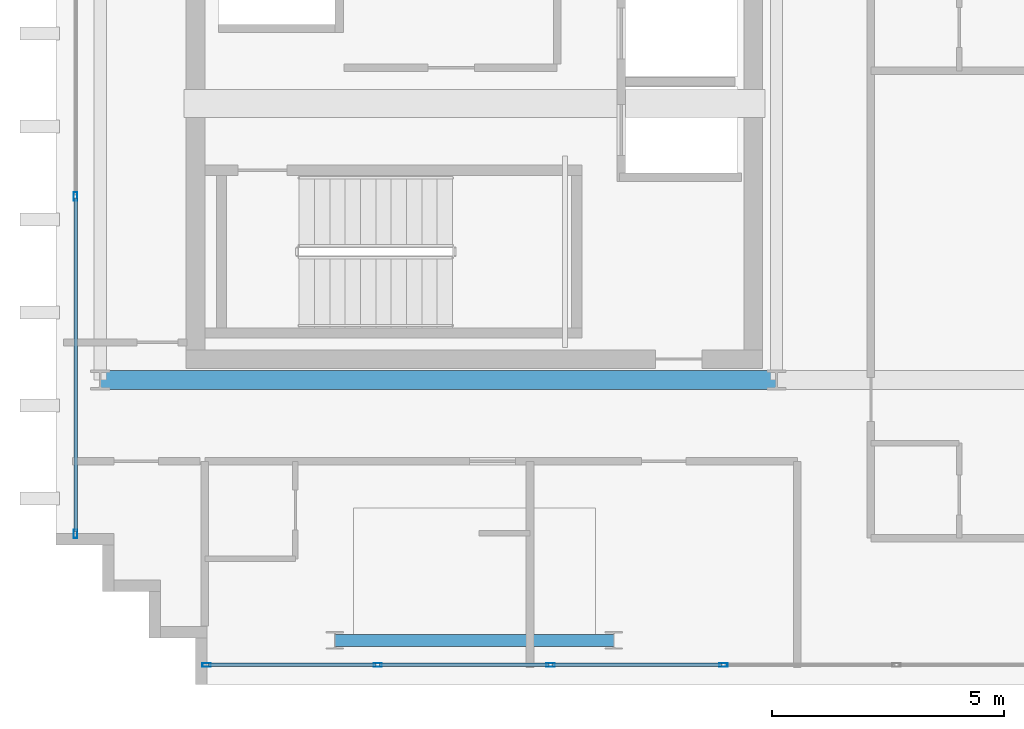
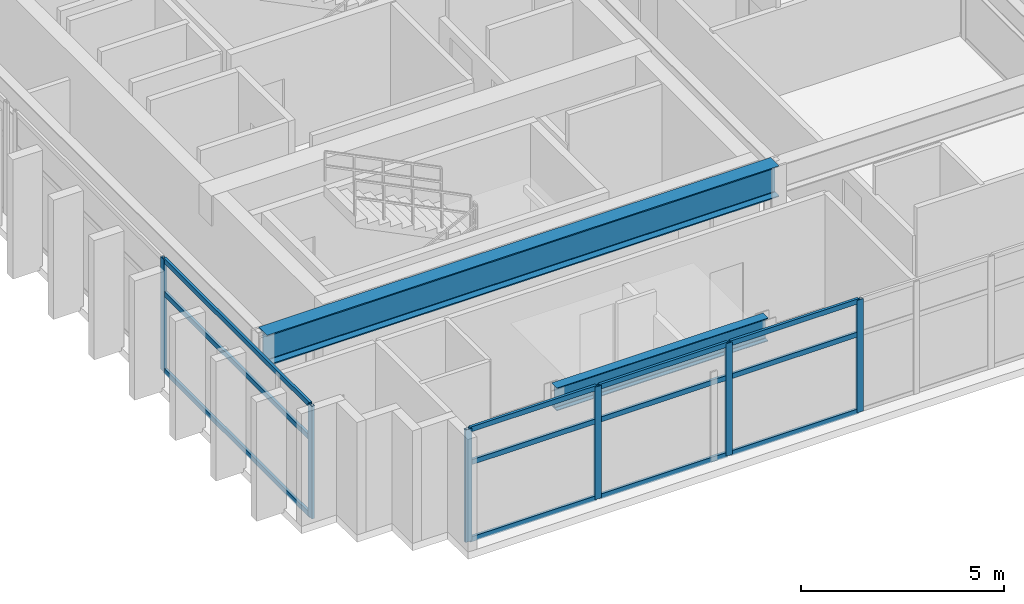
# One storey, part 2 of 15: 18 members, 2 beams, 2 elements without a shape of their own.
"""IFC4 building model written with IfcOpenShell, lengths in metres."""

from ifc_helpers import new_model, si_unit, direction, frame, origin, origin_2d, place, context, subcontext, project, spatial, hollow_rectangle, i_section, extrude, source, transform, mapped, material, layer, layer_set, material_profile, profile_set, type_object, element, aggregate, save


model = new_model("IFC4")

# Units and contexts
model_context = context("Model", 3, precision=1e-05, world=origin(), true_north=direction((0.0, 1.0)))
body_context = subcontext(model_context, "Body", "Model", "MODEL_VIEW")
ifc_project = project(units=[si_unit("LENGTHUNIT", "METRE"), si_unit("AREAUNIT", "SQUARE_METRE"), si_unit("VOLUMEUNIT", "CUBIC_METRE"), si_unit("PLANEANGLEUNIT", "RADIAN"), si_unit("MASSUNIT", "GRAM", prefix="KILO")], contexts=[model_context])

# Site, building, storey
site_placement = place(None, origin())
site = spatial("IfcSite", under=ifc_project, at=site_placement, CompositionType="ELEMENT")
building_placement = place(site_placement, origin())
building = spatial("IfcBuilding", under=site, at=building_placement, Name="Ocotamira Hotel", CompositionType="ELEMENT")
storey_placement = place(building_placement, frame((0.0, 0.0, 279.60009765625)))
storey = spatial("IfcBuildingStorey", under=building, at=storey_placement, Name="L71", CompositionType="ELEMENT", Elevation=279.60009765625)

# Beams
ifc_material_1 = material(Name="Steel ASTM A992 Grade 50", Category="steel")
ifc_material_profile_1 = material_profile(ifc_material_1, i_section(OverallWidth=0.41796875, OverallDepth=0.927001953125, WebThickness=0.019287109375, FlangeThickness=0.031982421875, FilletRadius=0.02392578125, at=origin_2d()), Name="W36X231")
ifc_profile_set_1 = profile_set([ifc_material_profile_1], Name="Steel ASTM A992 Grade 50")
beam_type_1 = type_object("IfcBeamType", Name="BM-GIRD-W36X231", PredefinedType="BEAM", material=ifc_profile_set_1)
shared_shape_1 = source(origin(), body_context, "Body", "SweptSolid", [
    extrude(i_section(OverallWidth=0.41796875, OverallDepth=0.927001953125, WebThickness=0.019287109375, FlangeThickness=0.031982421875, FilletRadius=0.02392578125, at=origin_2d()), origin(), (0.0, 0.0, 1.0), 14.550048828125),
])
beam_1_placement = place(storey_placement, frame((8.949951171875, 14.550048828125, 2.91650390625), z_axis=(1.0, 0.0, 0.0), x_axis=(0.0, 1.0, 0.0)))
element("IfcBeam", 1, at=beam_1_placement, inside=storey, type_object=beam_type_1, Name="L71 Girder Y14.55 X8.95-23.5", PredefinedType="BEAM", context=body_context, shape_type="MappedRepresentation", body=[
    mapped(shared_shape_1, transform((0.0, 0.0, 0.0), scale=1.0)),
])
ifc_material_profile_2 = material_profile(ifc_material_1, i_section(OverallWidth=0.256103515625, OverallDepth=0.693115234375, WebThickness=0.014404296875, FlangeThickness=0.023681640625, FilletRadius=0.01611328125, at=origin_2d()), Name="W27X114")
ifc_profile_set_2 = profile_set([ifc_material_profile_2], Name="Steel ASTM A992 Grade 50")
beam_type_2 = type_object("IfcBeamType", Name="BM-PRIM-W27X114", PredefinedType="BEAM", material=ifc_profile_set_2)
shared_shape_2 = source(origin(), body_context, "Body", "SweptSolid", [
    extrude(i_section(OverallWidth=0.256103515625, OverallDepth=0.693115234375, WebThickness=0.014404296875, FlangeThickness=0.023681640625, FilletRadius=0.01611328125, at=origin_2d()), origin(), (0.0, 0.0, 1.0), 6.0),
])
beam_2_placement = place(storey_placement, frame((14.0, 8.949951171875, 3.033447265625), z_axis=(1.0, 0.0, 0.0), x_axis=(0.0, 1.0, 0.0)))
element("IfcBeam", 2, at=beam_2_placement, inside=storey, type_object=beam_type_2, Name="L71 Girder Y8.95 X14-20", PredefinedType="BEAM", context=body_context, shape_type="MappedRepresentation", body=[
    mapped(shared_shape_2, transform((0.0, 0.0, 0.0), scale=1.0)),
])

# Curtain wall, members
ifc_material_2 = material(Name="Anodised pale-metal aluminium and solar glass", Category="aluminium")
ifc_layer = layer(ifc_material_2, 0.2099609375)
ifc_layer_set = layer_set([ifc_layer], Name="Anodised pale-metal aluminium and solar glass")
curtain_wall_type = type_object("IfcCurtainWallType", Name="CW-SYS7-PEAK", PredefinedType="NOTDEFINED", material=ifc_layer_set)
curtain_wall_1_placement = place(storey_placement, origin())
curtain_wall_1 = element("IfcCurtainWall", 3, at=curtain_wall_1_placement, inside=storey, type_object=curtain_wall_type, Name="L71 Curtain Wall CW-7 CW-L71-S1", PredefinedType="NOTDEFINED")
ifc_material_3 = material(Name="Anodised pale-metal aluminium 6063-T6", Category="aluminium")
ifc_material_profile_3 = material_profile(ifc_material_3, hollow_rectangle(XDim=0.080078125, YDim=0.179931640625, WallThickness=0.006103515625, at=origin_2d()), Name="HSS180X80X6")
ifc_profile_set_3 = profile_set([ifc_material_profile_3], Name="Anodised pale-metal aluminium 6063-T6")
member_type_1 = type_object("IfcMemberType", Name="CWM-180X75", PredefinedType="MULLION", material=ifc_profile_set_3)
shared_shape_3 = source(origin(), body_context, "Body", "SweptSolid", [
    extrude(hollow_rectangle(XDim=0.080078125, YDim=0.179931640625, WallThickness=0.006103515625, at=origin_2d()), origin(), (0.0, 0.0, 1.0), 3.3798828125),
])
member_1_placement = place(storey_placement, frame((11.239990234375, 8.419921875, 0.0), z_axis=(0.0, 0.0, 1.0), x_axis=(0.0, 1.0, 0.0)))
member_1 = element("IfcMember", 4, at=member_1_placement, type_object=member_type_1, Name="CW-7 mullion 1", PredefinedType="MULLION", context=body_context, shape_type="MappedRepresentation", body=[
    mapped(shared_shape_3, transform((0.0, 0.0, 0.0), scale=1.0)),
])
member_2_placement = place(storey_placement, frame((14.919921875, 8.419921875, 0.0), z_axis=(0.0, 0.0, 1.0), x_axis=(0.0, 1.0, 0.0)))
member_2 = element("IfcMember", 5, at=member_2_placement, type_object=member_type_1, Name="CW-7 mullion 2", PredefinedType="MULLION", context=body_context, shape_type="MappedRepresentation", body=[
    mapped(shared_shape_3, transform((0.0, 0.0, 0.0), scale=1.0)),
])
member_3_placement = place(storey_placement, frame((18.639892578125, 8.419921875, 0.0), z_axis=(0.0, 0.0, 1.0), x_axis=(0.0, 1.0, 0.0)))
member_3 = element("IfcMember", 6, at=member_3_placement, type_object=member_type_1, Name="CW-7 mullion 3", PredefinedType="MULLION", context=body_context, shape_type="MappedRepresentation", body=[
    mapped(shared_shape_3, transform((0.0, 0.0, 0.0), scale=1.0)),
])
member_4_placement = place(storey_placement, frame((22.360107421875, 8.419921875, 0.0), z_axis=(0.0, 0.0, 1.0), x_axis=(0.0, 1.0, 0.0)))
member_4 = element("IfcMember", 7, at=member_4_placement, type_object=member_type_1, Name="CW-7 mullion 4", PredefinedType="MULLION", context=body_context, shape_type="MappedRepresentation", body=[
    mapped(shared_shape_3, transform((0.0, 0.0, 0.0), scale=1.0)),
])

curtain_wall_2_placement = place(storey_placement, origin())
curtain_wall_2 = element("IfcCurtainWall", 8, at=curtain_wall_2_placement, inside=storey, type_object=curtain_wall_type, Name="L71 Curtain Wall CW-7 CW-L71-W1", PredefinedType="NOTDEFINED")
member_5_placement = place(storey_placement, frame((8.419921875, 11.239990234375, 0.0), z_axis=(0.0, 0.0, 1.0), x_axis=(-1.0, 0.0, 0.0)))
member_5 = element("IfcMember", 9, at=member_5_placement, type_object=member_type_1, Name="CW-7 mullion 1", PredefinedType="MULLION", context=body_context, shape_type="MappedRepresentation", body=[
    mapped(shared_shape_3, transform((0.0, 0.0, 0.0), scale=1.0)),
])
member_6_placement = place(storey_placement, frame((8.419921875, 18.5, 0.0), z_axis=(0.0, 0.0, 1.0), x_axis=(-1.0, 0.0, 0.0)))
member_6 = element("IfcMember", 10, at=member_6_placement, type_object=member_type_1, Name="CW-7 mullion 2", PredefinedType="MULLION", context=body_context, shape_type="MappedRepresentation", body=[
    mapped(shared_shape_3, transform((0.0, 0.0, 0.0), scale=1.0)),
])
ifc_material_profile_4 = material_profile(ifc_material_3, hollow_rectangle(XDim=0.074951171875, YDim=0.14990234375, WallThickness=0.006103515625, at=origin_2d()), Name="HSS150X75X6")
ifc_profile_set_4 = profile_set([ifc_material_profile_4], Name="Anodised pale-metal aluminium 6063-T6")
member_type_2 = type_object("IfcMemberType", Name="CWT-150X75", PredefinedType="USERDEFINED", material=ifc_profile_set_4)
shared_shape_4 = source(origin(), body_context, "Body", "SweptSolid", [
    extrude(hollow_rectangle(XDim=0.074951171875, YDim=0.14990234375, WallThickness=0.006103515625, at=origin_2d()), origin(), (0.0, 0.0, 1.0), 7.179931640625),
])
member_7_placement = place(storey_placement, frame((8.419921875, 11.280029296875, 0.037353515625), z_axis=(0.0, 1.0, 0.0), x_axis=(-1.0, 0.0, 0.0)))
member_7 = element("IfcMember", 11, at=member_7_placement, type_object=member_type_2, Name="CW-7 transom 1.1", ObjectType="TRANSOM", PredefinedType="USERDEFINED", context=body_context, shape_type="MappedRepresentation", body=[
    mapped(shared_shape_4, transform((0.0, 0.0, 0.0), scale=1.0)),
])
member_8_placement = place(storey_placement, frame((8.419921875, 11.280029296875, 2.349853515625), z_axis=(0.0, 1.0, 0.0), x_axis=(-1.0, 0.0, 0.0)))
member_8 = element("IfcMember", 12, at=member_8_placement, type_object=member_type_2, Name="CW-7 transom 1.2", ObjectType="TRANSOM", PredefinedType="USERDEFINED", context=body_context, shape_type="MappedRepresentation", body=[
    mapped(shared_shape_4, transform((0.0, 0.0, 0.0), scale=1.0)),
])
member_9_placement = place(storey_placement, frame((8.419921875, 11.280029296875, 3.34228515625), z_axis=(0.0, 1.0, 0.0), x_axis=(-1.0, 0.0, 0.0)))
member_9 = element("IfcMember", 13, at=member_9_placement, type_object=member_type_2, Name="CW-7 transom 1.3", ObjectType="TRANSOM", PredefinedType="USERDEFINED", context=body_context, shape_type="MappedRepresentation", body=[
    mapped(shared_shape_4, transform((0.0, 0.0, 0.0), scale=1.0)),
])
aggregate(curtain_wall_2, [member_5, member_6, member_7, member_8, member_9])

# Member
shared_shape_5 = source(origin(), body_context, "Body", "SweptSolid", [
    extrude(hollow_rectangle(XDim=0.074951171875, YDim=0.14990234375, WallThickness=0.006103515625, at=origin_2d()), origin(), (0.0, 0.0, 1.0), 3.599853515625),
])
member_10_placement = place(storey_placement, frame((11.280029296875, 8.419921875, 0.037353515625), z_axis=(1.0, 0.0, 0.0), x_axis=(0.0, 1.0, 0.0)))
member_10 = element("IfcMember", 14, at=member_10_placement, type_object=member_type_2, Name="CW-7 transom 1.1", ObjectType="TRANSOM", PredefinedType="USERDEFINED", context=body_context, shape_type="MappedRepresentation", body=[
    mapped(shared_shape_5, transform((0.0, 0.0, 0.0), scale=1.0)),
])

member_11_placement = place(storey_placement, frame((11.280029296875, 8.419921875, 2.349853515625), z_axis=(1.0, 0.0, 0.0), x_axis=(0.0, 1.0, 0.0)))
member_11 = element("IfcMember", 15, at=member_11_placement, type_object=member_type_2, Name="CW-7 transom 1.2", ObjectType="TRANSOM", PredefinedType="USERDEFINED", context=body_context, shape_type="MappedRepresentation", body=[
    mapped(shared_shape_5, transform((0.0, 0.0, 0.0), scale=1.0)),
])

member_12_placement = place(storey_placement, frame((11.280029296875, 8.419921875, 3.34228515625), z_axis=(1.0, 0.0, 0.0), x_axis=(0.0, 1.0, 0.0)))
member_12 = element("IfcMember", 16, at=member_12_placement, type_object=member_type_2, Name="CW-7 transom 1.3", ObjectType="TRANSOM", PredefinedType="USERDEFINED", context=body_context, shape_type="MappedRepresentation", body=[
    mapped(shared_shape_5, transform((0.0, 0.0, 0.0), scale=1.0)),
])

shared_shape_6 = source(origin(), body_context, "Body", "SweptSolid", [
    extrude(hollow_rectangle(XDim=0.074951171875, YDim=0.14990234375, WallThickness=0.006103515625, at=origin_2d()), origin(), (0.0, 0.0, 1.0), 3.64013671875),
])
member_13_placement = place(storey_placement, frame((14.9599609375, 8.419921875, 0.037353515625), z_axis=(1.0, 0.0, 0.0), x_axis=(0.0, 1.0, 0.0)))
member_13 = element("IfcMember", 17, at=member_13_placement, type_object=member_type_2, Name="CW-7 transom 2.1", ObjectType="TRANSOM", PredefinedType="USERDEFINED", context=body_context, shape_type="MappedRepresentation", body=[
    mapped(shared_shape_6, transform((0.0, 0.0, 0.0), scale=1.0)),
])

member_14_placement = place(storey_placement, frame((14.9599609375, 8.419921875, 2.349853515625), z_axis=(1.0, 0.0, 0.0), x_axis=(0.0, 1.0, 0.0)))
member_14 = element("IfcMember", 18, at=member_14_placement, type_object=member_type_2, Name="CW-7 transom 2.2", ObjectType="TRANSOM", PredefinedType="USERDEFINED", context=body_context, shape_type="MappedRepresentation", body=[
    mapped(shared_shape_6, transform((0.0, 0.0, 0.0), scale=1.0)),
])

member_15_placement = place(storey_placement, frame((14.9599609375, 8.419921875, 3.34228515625), z_axis=(1.0, 0.0, 0.0), x_axis=(0.0, 1.0, 0.0)))
member_15 = element("IfcMember", 19, at=member_15_placement, type_object=member_type_2, Name="CW-7 transom 2.3", ObjectType="TRANSOM", PredefinedType="USERDEFINED", context=body_context, shape_type="MappedRepresentation", body=[
    mapped(shared_shape_6, transform((0.0, 0.0, 0.0), scale=1.0)),
])

member_16_placement = place(storey_placement, frame((18.679931640625, 8.419921875, 0.037353515625), z_axis=(1.0, 0.0, 0.0), x_axis=(0.0, 1.0, 0.0)))
member_16 = element("IfcMember", 20, at=member_16_placement, type_object=member_type_2, Name="CW-7 transom 3.1", ObjectType="TRANSOM", PredefinedType="USERDEFINED", context=body_context, shape_type="MappedRepresentation", body=[
    mapped(shared_shape_6, transform((0.0, 0.0, 0.0), scale=1.0)),
])

member_17_placement = place(storey_placement, frame((18.679931640625, 8.419921875, 2.349853515625), z_axis=(1.0, 0.0, 0.0), x_axis=(0.0, 1.0, 0.0)))
member_17 = element("IfcMember", 21, at=member_17_placement, type_object=member_type_2, Name="CW-7 transom 3.2", ObjectType="TRANSOM", PredefinedType="USERDEFINED", context=body_context, shape_type="MappedRepresentation", body=[
    mapped(shared_shape_6, transform((0.0, 0.0, 0.0), scale=1.0)),
])

member_18_placement = place(storey_placement, frame((18.679931640625, 8.419921875, 3.34228515625), z_axis=(1.0, 0.0, 0.0), x_axis=(0.0, 1.0, 0.0)))
member_18 = element("IfcMember", 22, at=member_18_placement, type_object=member_type_2, Name="CW-7 transom 3.3", ObjectType="TRANSOM", PredefinedType="USERDEFINED", context=body_context, shape_type="MappedRepresentation", body=[
    mapped(shared_shape_6, transform((0.0, 0.0, 0.0), scale=1.0)),
])

aggregate(curtain_wall_1, [member_1, member_2, member_3, member_4, member_10, member_11, member_12, member_13, member_14, member_15, member_16, member_17, member_18])

save(model, "model.ifc")
